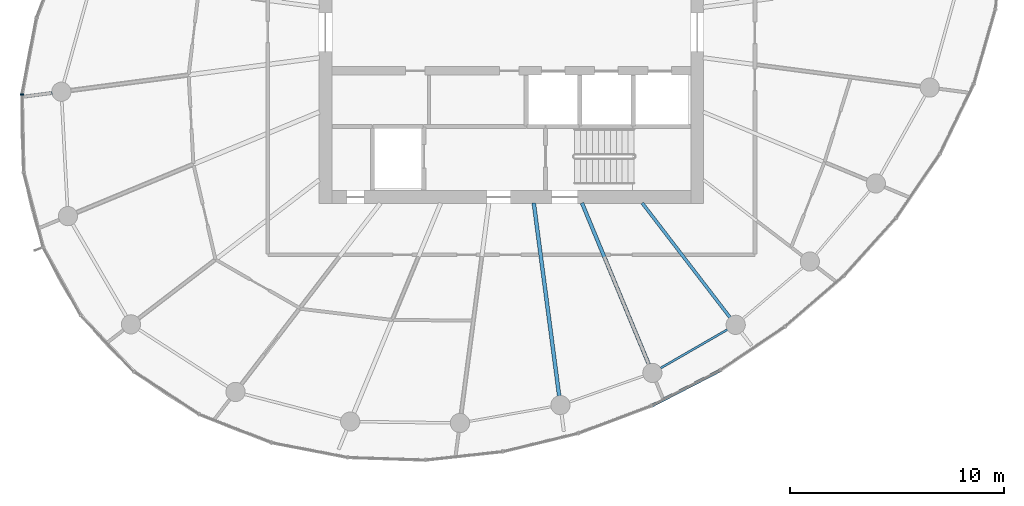
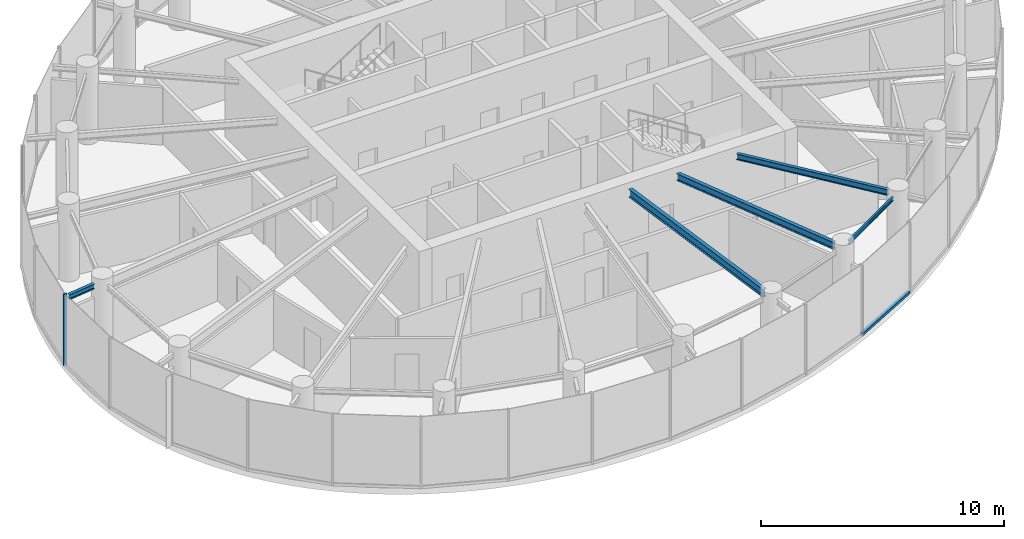
# One storey, part 3 of 13: 5 beams, 2 members, 2 elements without a shape of their own.
"""IFC4 building model written with IfcOpenShell, lengths in metres."""

from ifc_helpers import new_model, si_unit, direction, frame, origin, origin_2d, place, context, subcontext, project, spatial, rectangle, i_section, extrude, source, transform, mapped, material, layer, layer_set, material_profile, profile_set, type_object, element, aggregate, save


model = new_model("IFC4")

# Units and contexts
model_context = context("Model", 3, precision=1e-05, world=origin(), true_north=direction((0.0, 1.0)))
body_context = subcontext(model_context, "Body", "Model", "MODEL_VIEW")
ifc_project = project(units=[si_unit("LENGTHUNIT", "METRE"), si_unit("AREAUNIT", "SQUARE_METRE"), si_unit("VOLUMEUNIT", "CUBIC_METRE"), si_unit("PLANEANGLEUNIT", "RADIAN"), si_unit("MASSUNIT", "GRAM", prefix="KILO")], contexts=[model_context])

# Site, building, storey
site_placement = place(None, origin())
site = spatial("IfcSite", under=ifc_project, at=site_placement, CompositionType="ELEMENT")
building_placement = place(site_placement, origin())
building = spatial("IfcBuilding", under=site, at=building_placement, Name="Spindrift Exchange Tower", CompositionType="ELEMENT")
storey_placement = place(building_placement, frame((0.0, 0.0, 218.89990234375)))
storey = spatial("IfcBuildingStorey", under=building, at=storey_placement, Name="L53", CompositionType="ELEMENT", Elevation=218.89990234375)

# Beams
ifc_material_1 = material(Name="Steel Grade 300", Category="steel")
ifc_material_profile_1 = material_profile(ifc_material_1, i_section(OverallWidth=0.177978515625, OverallDepth=0.403076171875, WebThickness=0.007568359375, FlangeThickness=0.010986328125, FilletRadius=0.013916015625, at=origin_2d()), Name="410UB53.7")
ifc_profile_set_1 = profile_set([ifc_material_profile_1], Name="Steel Grade 300")
beam_type_1 = type_object("IfcBeamType", Name="Floor Beam 410UB53.7 Steel Grade 300", PredefinedType="BEAM", material=ifc_profile_set_1)
shared_shape_1 = source(origin(), body_context, "Body", "SweptSolid", [
    extrude(i_section(OverallWidth=0.177978515625, OverallDepth=0.403076171875, WebThickness=0.007568359375, FlangeThickness=0.010986328125, FilletRadius=0.013916015625, at=origin_2d()), origin(), (0.0, 0.0, 1.0), 9.11376953125),
])
beam_1_placement = place(storey_placement, frame((53.050537109375, 40.019775390625, 3.378662109375), z_axis=(0.130536972606, -0.991443442049, 0.0), x_axis=(0.991443442049, 0.130536972606, 0.0)))
element("IfcBeam", 1, at=beam_1_placement, inside=storey, type_object=beam_type_1, Name="L53 radial beam R19A", PredefinedType="BEAM", context=body_context, shape_type="MappedRepresentation", body=[
    mapped(shared_shape_1, transform((0.0, 0.0, 0.0), scale=1.0)),
])
ifc_material_profile_2 = material_profile(ifc_material_1, i_section(OverallWidth=0.1708984375, OverallDepth=0.35205078125, WebThickness=0.0068359375, FlangeThickness=0.009765625, FilletRadius=0.013916015625, at=origin_2d()), Name="360UB44.7")
ifc_profile_set_2 = profile_set([ifc_material_profile_2], Name="Steel Grade 300")
beam_type_2 = type_object("IfcBeamType", Name="Floor Beam 360UB44.7 Steel Grade 300", PredefinedType="BEAM", material=ifc_profile_set_2)
shared_shape_2 = source(origin(), body_context, "Body", "SweptSolid", [
    extrude(i_section(OverallWidth=0.1708984375, OverallDepth=0.35205078125, WebThickness=0.0068359375, FlangeThickness=0.009765625, FilletRadius=0.013916015625, at=origin_2d()), origin(), (0.0, 0.0, 1.0), 8.1748046875),
])
beam_2_placement = place(storey_placement, frame((55.30615234375, 40.0185546875, 3.404052734375), z_axis=(0.382655117626, -0.923891260352, 0.0), x_axis=(0.923891260352, 0.382655117626, 0.0)))
element("IfcBeam", 2, at=beam_2_placement, inside=storey, type_object=beam_type_2, Name="L53 radial beam R20A", PredefinedType="BEAM", context=body_context, shape_type="MappedRepresentation", body=[
    mapped(shared_shape_2, transform((0.0, 0.0, 0.0), scale=1.0)),
])
ifc_material_profile_3 = material_profile(ifc_material_1, i_section(OverallWidth=0.14892578125, OverallDepth=0.298095703125, WebThickness=0.005615234375, FlangeThickness=0.008056640625, FilletRadius=0.012939453125, at=origin_2d()), Name="310UB32.0")
ifc_profile_set_3 = profile_set([ifc_material_profile_3], Name="Steel Grade 300")
beam_type_3 = type_object("IfcBeamType", Name="Floor Beam 310UB32.0 Steel Grade 300", PredefinedType="BEAM", material=ifc_profile_set_3)
shared_shape_3 = source(origin(), body_context, "Body", "SweptSolid", [
    extrude(i_section(OverallWidth=0.14892578125, OverallDepth=0.298095703125, WebThickness=0.005615234375, FlangeThickness=0.008056640625, FilletRadius=0.012939453125, at=origin_2d()), origin(), (0.0, 0.0, 1.0), 6.753173828125),
])
beam_3_placement = place(storey_placement, frame((58.12646484375, 40.015869140625, 3.43115234375), z_axis=(0.608761639459, -0.793353178807, 0.0), x_axis=(0.793353178807, 0.608761639459, 0.0)))
element("IfcBeam", 3, at=beam_3_placement, inside=storey, type_object=beam_type_3, Name="L53 radial beam R21A", PredefinedType="BEAM", context=body_context, shape_type="MappedRepresentation", body=[
    mapped(shared_shape_3, transform((0.0, 0.0, 0.0), scale=1.0)),
])
ifc_material_profile_4 = material_profile(ifc_material_1, i_section(OverallWidth=0.09912109375, OverallDepth=0.197998046875, WebThickness=0.00439453125, FlangeThickness=0.007080078125, FilletRadius=0.010986328125, at=origin_2d()), Name="200UB18.2")
ifc_profile_set_4 = profile_set([ifc_material_profile_4], Name="Steel Grade 300")
beam_type_4 = type_object("IfcBeamType", Name="Edge Beam 200UB18.2 Steel Grade 300", PredefinedType="SPANDREL", material=ifc_profile_set_4)
shared_shape_4 = source(origin(), body_context, "Body", "SweptSolid", [
    extrude(i_section(OverallWidth=0.09912109375, OverallDepth=0.197998046875, WebThickness=0.00439453125, FlangeThickness=0.007080078125, FilletRadius=0.010986328125, at=origin_2d()), origin(), (0.0, 0.0, 1.0), 3.64208984375),
])
beam_4_placement = place(storey_placement, frame((58.971435546875, 32.283447265625, 3.481201171875), z_axis=(0.866364093123, 0.499412913476, 0.0), x_axis=(-0.499412913476, 0.866364093123, 0.0)))
element("IfcBeam", 4, at=beam_4_placement, inside=storey, type_object=beam_type_4, Name="L53 edge beam E20", PredefinedType="SPANDREL", context=body_context, shape_type="MappedRepresentation", body=[
    mapped(shared_shape_4, transform((0.0, 0.0, 0.0), scale=1.0)),
])
ifc_material_profile_5 = material_profile(ifc_material_1, i_section(OverallWidth=0.14599609375, OverallDepth=0.251953125, WebThickness=0.006103515625, FlangeThickness=0.008544921875, FilletRadius=0.011962890625, at=origin_2d()), Name="250UB31.4")
ifc_profile_set_5 = profile_set([ifc_material_profile_5], Name="Steel Grade 300")
beam_type_5 = type_object("IfcBeamType", Name="Cantilever Beam 250UB31.4 Steel Grade 300", PredefinedType="BEAM", material=ifc_profile_set_5)
shared_shape_5 = source(origin(), body_context, "Body", "SweptSolid", [
    extrude(i_section(OverallWidth=0.14599609375, OverallDepth=0.251953125, WebThickness=0.006103515625, FlangeThickness=0.008544921875, FilletRadius=0.011962890625, at=origin_2d()), origin(), (0.0, 0.0, 1.0), 1.30615234375),
])
beam_5_placement = place(storey_placement, frame((30.511474609375, 45.1708984375, 3.4541015625), z_axis=(-0.991451750421, -0.130473854034, 0.0), x_axis=(0.130473854034, -0.991451750421, 0.0)))
element("IfcBeam", 5, at=beam_5_placement, inside=storey, type_object=beam_type_5, Name="L53 cantilever beam R13T", PredefinedType="BEAM", context=body_context, shape_type="MappedRepresentation", body=[
    mapped(shared_shape_5, transform((0.0, 0.0, 0.0), scale=1.0)),
])

# Curtain wall, member
ifc_material_2 = material(Name="Fritted laminated glass with bronze frame", Category="glass")
ifc_layer = layer(ifc_material_2, 0.169921875)
ifc_layer_set = layer_set([ifc_layer], Name="ZONE 4 BRONZE FRITTED WALL")
curtain_wall_type = type_object("IfcCurtainWallType", Name="ZONE 4 BRONZE FRITTED WALL", PredefinedType="NOTDEFINED", material=ifc_layer_set)
curtain_wall_1_placement = place(storey_placement, origin())
curtain_wall_1 = element("IfcCurtainWall", 6, at=curtain_wall_1_placement, inside=storey, type_object=curtain_wall_type, Name="L53 Zone 4 Bronze Fritted Wall run 5", PredefinedType="NOTDEFINED")
ifc_material_3 = material(Name="Bronze anodised aluminium", Category="aluminium")
ifc_material_profile_6 = material_profile(ifc_material_3, rectangle(XDim=0.14990234375, YDim=0.125, at=origin_2d()), Name="ZONE 4 BRONZE FRITTED WALL TRANSOM 150X125")
ifc_profile_set_6 = profile_set([ifc_material_profile_6], Name="Bronze anodised aluminium")
member_type_1 = type_object("IfcMemberType", Name="ZONE 4 BRONZE FRITTED WALL TRANSOM 150X125", PredefinedType="USERDEFINED", material=ifc_profile_set_6)
shared_shape_6 = source(origin(), body_context, "Body", "SweptSolid", [
    extrude(rectangle(XDim=0.14990234375, YDim=0.125, at=origin_2d()), origin(), (0.0, 0.0, 1.0), 3.577880859375),
])
member_1_placement = place(storey_placement, frame((58.583984375, 30.537109375, 0.0625), z_axis=(0.888593741651, 0.458695064612, 0.0), x_axis=(-0.458695064612, 0.888593741651, 0.0)))
member_1 = element("IfcMember", 7, at=member_1_placement, type_object=member_type_1, Name="L53 transom CW-4.28", ObjectType="TRANSOM", PredefinedType="USERDEFINED", context=body_context, shape_type="MappedRepresentation", body=[
    mapped(shared_shape_6, transform((0.0, 0.0, 0.0), scale=1.0)),
])
aggregate(curtain_wall_1, [member_1])

curtain_wall_2_placement = place(storey_placement, origin())
curtain_wall_2 = element("IfcCurtainWall", 8, at=curtain_wall_2_placement, inside=storey, type_object=curtain_wall_type, Name="L53 Zone 4 Bronze Fritted Wall run 3", PredefinedType="NOTDEFINED")
ifc_material_profile_7 = material_profile(ifc_material_3, rectangle(XDim=0.06494140625, YDim=0.169921875, at=origin_2d()), Name="ZONE 4 BRONZE FRITTED WALL MULLION 65X170")
ifc_profile_set_7 = profile_set([ifc_material_profile_7], Name="Bronze anodised aluminium")
member_type_2 = type_object("IfcMemberType", Name="ZONE 4 BRONZE FRITTED WALL MULLION 65X170", PredefinedType="MULLION", material=ifc_profile_set_7)
shared_shape_7 = source(origin(), body_context, "Body", "SweptSolid", [
    extrude(rectangle(XDim=0.06494140625, YDim=0.169921875, at=origin_2d()), origin(), (0.0, 0.0, 1.0), 3.580078125),
])
member_2_placement = place(storey_placement, frame((29.091796875, 45.099609375, 0.0), z_axis=(0.0, 0.0, 1.0), x_axis=(-0.082973696348, -0.9965517376, 0.0)))
member_2 = element("IfcMember", 9, at=member_2_placement, type_object=member_type_2, Name="L53 mullion CW-4.17", PredefinedType="MULLION", context=body_context, shape_type="MappedRepresentation", body=[
    mapped(shared_shape_7, transform((0.0, 0.0, 0.0), scale=1.0)),
])
aggregate(curtain_wall_2, [member_2])

save(model, "model.ifc")
